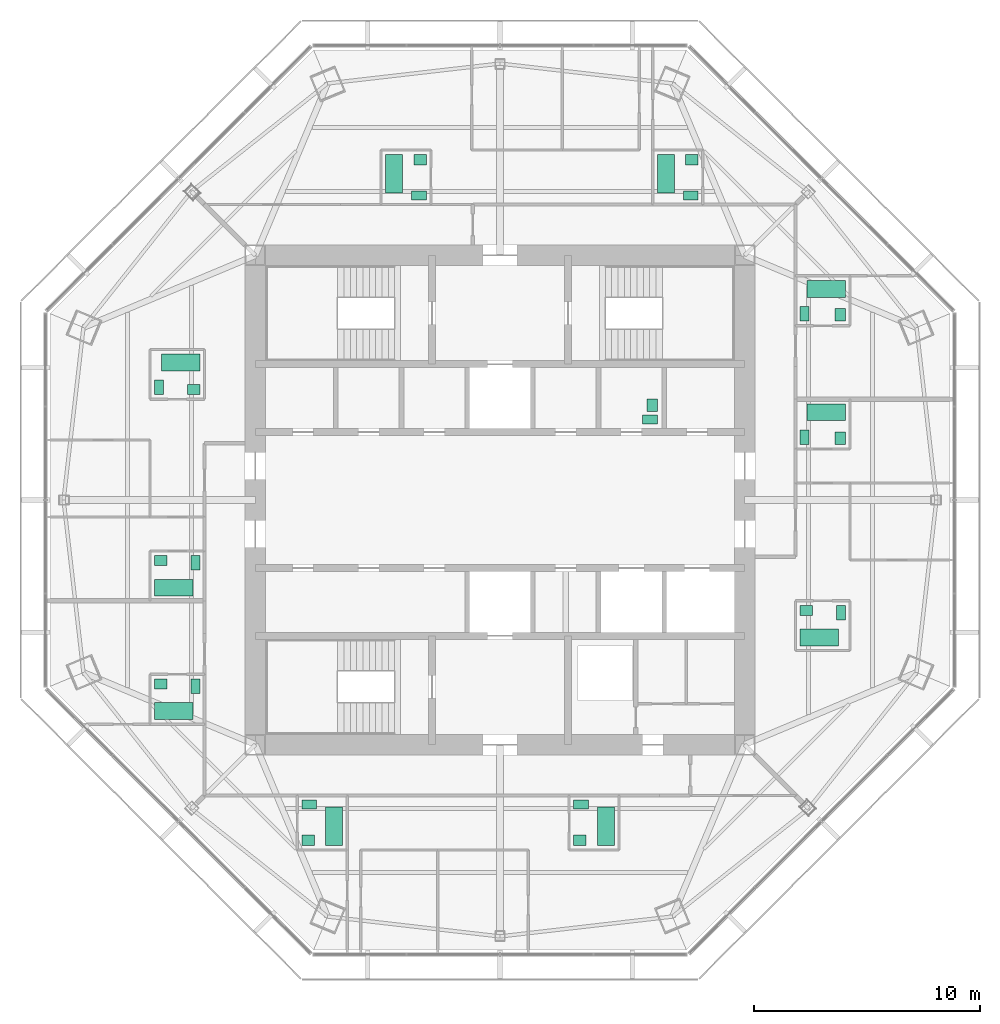
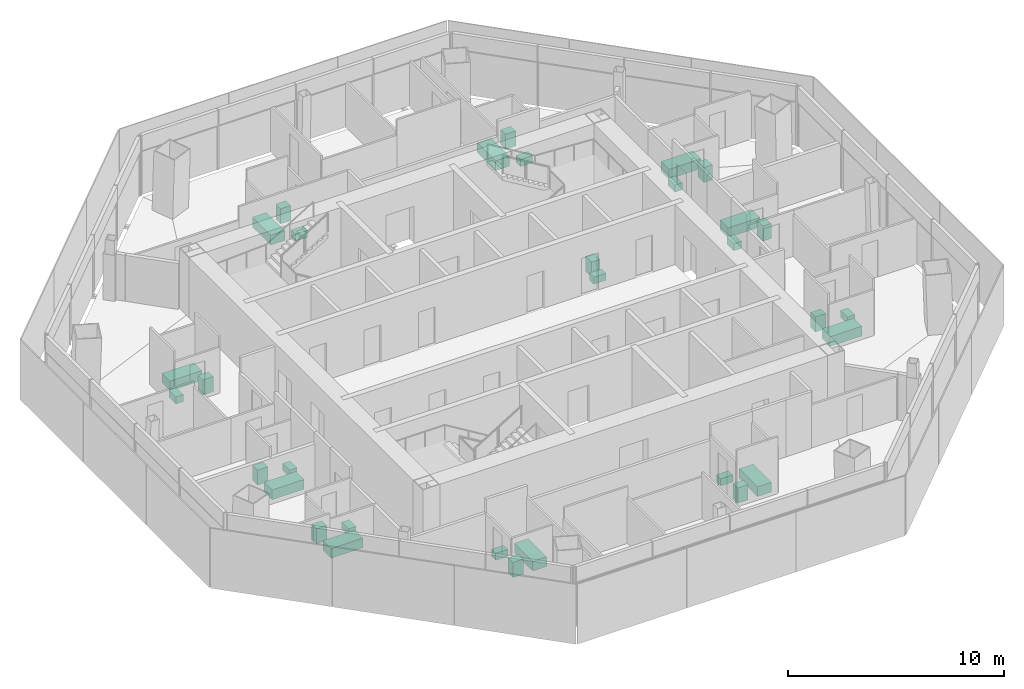
# One storey, part 15 of 15: 32 sanitary terminals.
"""IFC4 building model written with IfcOpenShell, lengths in metres."""

from ifc_helpers import new_model, si_unit, direction, frame, origin, origin_2d, place, context, subcontext, project, spatial, rectangle, extrude, material, type_object, element, save


model = new_model("IFC4")

# Units and contexts
model_context = context("Model", 3, precision=1e-05, world=origin(), true_north=direction((0.0, 1.0)))
body_context = subcontext(model_context, "Body", "Model", "MODEL_VIEW")
ifc_project = project(units=[si_unit("LENGTHUNIT", "METRE"), si_unit("AREAUNIT", "SQUARE_METRE"), si_unit("VOLUMEUNIT", "CUBIC_METRE"), si_unit("PLANEANGLEUNIT", "RADIAN"), si_unit("MASSUNIT", "GRAM", prefix="KILO")], contexts=[model_context])

# Site, building, storey
site_placement = place(None, origin())
site = spatial("IfcSite", under=ifc_project, at=site_placement, CompositionType="ELEMENT")
building_placement = place(site_placement, origin())
building = spatial("IfcBuilding", under=site, at=building_placement, Name="Mashrafa Tower", CompositionType="ELEMENT")
storey_placement = place(building_placement, frame((0.0, 0.0, 281.0)))
storey = spatial("IfcBuildingStorey", under=building, at=storey_placement, Name="L68", CompositionType="ELEMENT", Elevation=281.0)

# Sanitary terminals
ifc_material_1 = material(Name="Enamelled steel", Category="steel")
sanitary_terminal_type_1 = type_object("IfcSanitaryTerminalType", Name="Bath 1700 x 750", PredefinedType="BATH", material=ifc_material_1)
for number, where, z_axis, x_axis, name in (
    (1, (14.10009765625, -6.074951171875, 0.0), (0.0, 0.0, 1.0), (1.0, 0.0, 0.0), "Bath Apartment 6801 Bathroom"),
    (2, (14.39990234375, 3.875, 0.0), (0.0, 0.0, 1.0), (-1.0, 0.0, 0.0), "Bath Apartment 6801 En-suite Bathroom"),
    (3, (14.39990234375, 9.324951171875, 0.0), (0.0, 0.0, 1.0), (-1.0, 0.0, 0.0), "Bath Apartment 6802 Bathroom"),
    (4, (-4.675048828125, 14.39990234375, 0.0), (0.0, 0.0, 1.0), (0.0, -1.0, 0.0), "Bath Apartment 6803 Bathroom"),
    (5, (7.324951171875, 14.39990234375, 0.0), (0.0, 0.0, 1.0), (0.0, -1.0, 0.0), "Bath Apartment 6803 En-suite Bathroom"),
    (6, (-14.10009765625, 6.074951171875, 0.0), (0.0, 0.0, 1.0), (-1.0, 0.0, 0.0), "Bath Apartment 6804 Bathroom"),
    (7, (-14.39990234375, -3.875, 0.0), (0.0, 0.0, 1.0), (1.0, 0.0, 0.0), "Bath Apartment 6804 En-suite Bathroom"),
    (8, (-14.39990234375, -9.324951171875, 0.0), (0.0, 0.0, 1.0), (1.0, 0.0, 0.0), "Bath Apartment 6805 Bathroom"),
    (9, (4.675048828125, -14.39990234375, 0.0), (0.0, 0.0, 1.0), (0.0, 1.0, 0.0), "Bath Apartment 6806 Bathroom"),
    (10, (-7.324951171875, -14.39990234375, 0.0), (0.0, 0.0, 1.0), (0.0, 1.0, 0.0), "Bath Apartment 6806 En-suite Bathroom"),
):
    element("IfcSanitaryTerminal", number, at=place(storey_placement, frame(where, z_axis=z_axis, x_axis=x_axis)), inside=storey, type_object=sanitary_terminal_type_1, Name=name, PredefinedType="BATH", context=body_context, shape_type="SweptSolid", body=[
        extrude(rectangle(XDim=1.699951171875, YDim=0.75, at=origin_2d()), origin(), (0.0, 0.0, 1.0), 0.550048828125),
    ])
ifc_material_2 = material(Name="Vitreous china")
sanitary_terminal_type_2 = type_object("IfcSanitaryTerminalType", Name="Toilet pan 400 x 650", PredefinedType="TOILETPAN", material=ifc_material_2)
for number, where, z_axis, x_axis, name in (
    (11, (6.625, 3.550048828125, 0.0), (0.0, 0.0, 1.0), (0.0, 1.0, 0.0), "Toilet pan Staff WC L68"),
    (12, (15.050048828125, -4.97509765625, 0.0), (0.0, 0.0, 1.0), (-1.0, 0.0, 0.0), "Toilet pan Apartment 6801 Bathroom"),
    (13, (13.449951171875, 2.77490234375, 0.0), (0.0, 0.0, 1.0), (1.0, 0.0, 0.0), "Toilet pan Apartment 6801 En-suite Bathroom"),
    (14, (13.449951171875, 8.22509765625, 0.0), (0.0, 0.0, 1.0), (1.0, 0.0, 0.0), "Toilet pan Apartment 6802 Bathroom"),
    (15, (-3.574951171875, 13.449951171875, 0.0), (0.0, 0.0, 1.0), (0.0, 1.0, 0.0), "Toilet pan Apartment 6803 Bathroom"),
    (16, (8.425048828125, 13.449951171875, 0.0), (0.0, 0.0, 1.0), (0.0, 1.0, 0.0), "Toilet pan Apartment 6803 En-suite Bathroom"),
    (17, (-15.050048828125, 4.97509765625, 0.0), (0.0, 0.0, 1.0), (1.0, 0.0, 0.0), "Toilet pan Apartment 6804 Bathroom"),
    (18, (-13.449951171875, -2.77490234375, 0.0), (0.0, 0.0, 1.0), (-1.0, 0.0, 0.0), "Toilet pan Apartment 6804 En-suite Bathroom"),
    (19, (-13.449951171875, -8.22509765625, 0.0), (0.0, 0.0, 1.0), (-1.0, 0.0, 0.0), "Toilet pan Apartment 6805 Bathroom"),
    (20, (3.574951171875, -13.449951171875, 0.0), (0.0, 0.0, 1.0), (0.0, -1.0, 0.0), "Toilet pan Apartment 6806 Bathroom"),
    (21, (-8.425048828125, -13.449951171875, 0.0), (0.0, 0.0, 1.0), (0.0, -1.0, 0.0), "Toilet pan Apartment 6806 En-suite Bathroom"),
):
    element("IfcSanitaryTerminal", number, at=place(storey_placement, frame(where, z_axis=z_axis, x_axis=x_axis)), inside=storey, type_object=sanitary_terminal_type_2, Name=name, PredefinedType="TOILETPAN", context=body_context, shape_type="SweptSolid", body=[
        extrude(rectangle(XDim=0.39990234375, YDim=0.64990234375, at=origin_2d()), origin(), (0.0, 0.0, 1.0), 0.39990234375),
    ])
ifc_material_3 = material(Name="Vitreous china")
sanitary_terminal_type_3 = type_object("IfcSanitaryTerminalType", Name="Wash basin 550 x 450", PredefinedType="WASHHANDBASIN", material=ifc_material_3)
for number, where, z_axis, x_axis, name in (
    (22, (6.72509765625, 4.175048828125, 0.0), (0.0, 0.0, 1.0), (0.0, 1.0, 0.0), "Wash basin Staff WC L68"),
    (23, (13.52490234375, -4.875, 0.0), (0.0, 0.0, 1.0), (-1.0, 0.0, 0.0), "Wash basin Apartment 6801 Bathroom"),
    (24, (15.02490234375, 2.72509765625, 0.0), (0.0, 0.0, 1.0), (0.0, 1.0, 0.0), "Wash basin Apartment 6801 En-suite Bathroom"),
    (25, (15.02490234375, 8.175048828125, 0.0), (0.0, 0.0, 1.0), (0.0, 1.0, 0.0), "Wash basin Apartment 6802 Bathroom"),
    (26, (-3.52490234375, 15.02490234375, 0.0), (0.0, 0.0, 1.0), (-1.0, 0.0, 0.0), "Wash basin Apartment 6803 Bathroom"),
    (27, (8.47509765625, 15.02490234375, 0.0), (0.0, 0.0, 1.0), (-1.0, 0.0, 0.0), "Wash basin Apartment 6803 En-suite Bathroom"),
    (28, (-13.52490234375, 4.875, 0.0), (0.0, 0.0, 1.0), (1.0, 0.0, 0.0), "Wash basin Apartment 6804 Bathroom"),
    (29, (-14.97509765625, -2.675048828125, 0.0), (0.0, 0.0, 1.0), (-1.0, 0.0, 0.0), "Wash basin Apartment 6804 En-suite Bathroom"),
    (30, (-14.97509765625, -8.125, 0.0), (0.0, 0.0, 1.0), (-1.0, 0.0, 0.0), "Wash basin Apartment 6805 Bathroom"),
    (31, (3.52490234375, -15.02490234375, 0.0), (0.0, 0.0, 1.0), (1.0, 0.0, 0.0), "Wash basin Apartment 6806 Bathroom"),
    (32, (-8.47509765625, -15.02490234375, 0.0), (0.0, 0.0, 1.0), (1.0, 0.0, 0.0), "Wash basin Apartment 6806 En-suite Bathroom"),
):
    element("IfcSanitaryTerminal", number, at=place(storey_placement, frame(where, z_axis=z_axis, x_axis=x_axis)), inside=storey, type_object=sanitary_terminal_type_3, Name=name, PredefinedType="WASHHANDBASIN", context=body_context, shape_type="SweptSolid", body=[
        extrude(rectangle(XDim=0.550048828125, YDim=0.449951171875, at=origin_2d()), origin(), (0.0, 0.0, 1.0), 0.85009765625),
    ])

save(model, "model.ifc")
